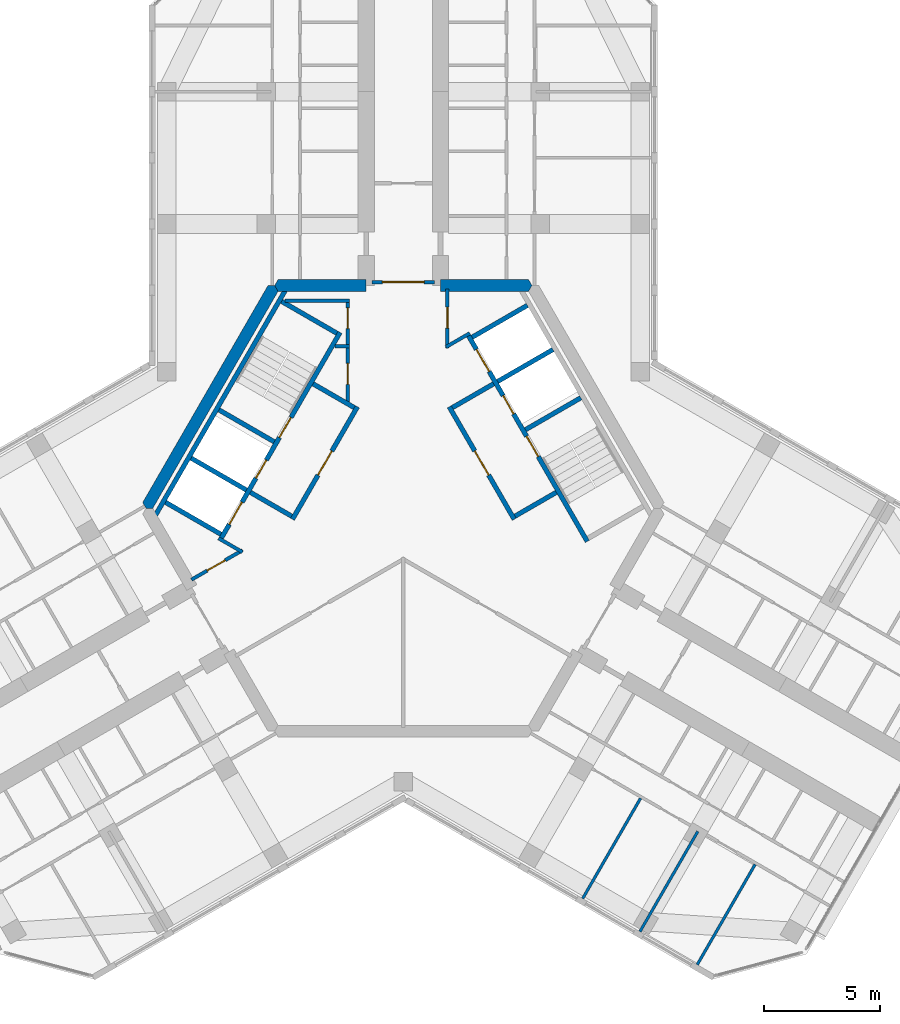
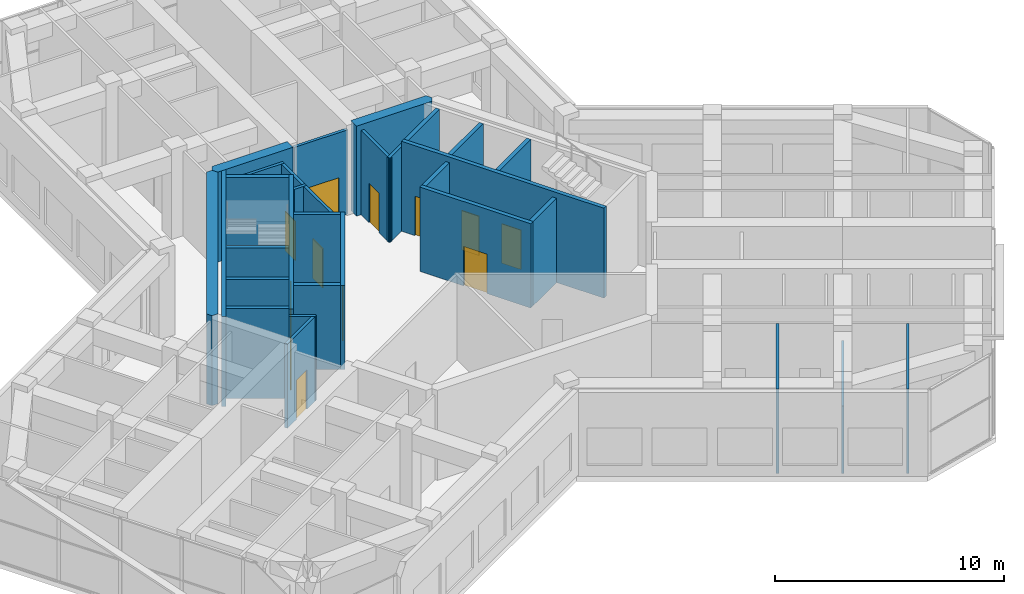
# One storey, part 9 of 14: 30 walls, 13 doors, 13 openings.
"""IFC4 building model written with IfcOpenShell, lengths in metres."""

from ifc_helpers import new_model, si_unit, direction, frame, frame_2d, origin, place, context, subcontext, project, spatial, polyline, rectangle, outline, extrude, material, layer, layer_set, type_object, element, fill, save


model = new_model("IFC4")

# Units and contexts
model_context = context("Model", 3, precision=1e-05, world=origin(), true_north=direction((0.0, 1.0)))
body_context = subcontext(model_context, "Body", "Model", "MODEL_VIEW")
ifc_project = project(units=[si_unit("LENGTHUNIT", "METRE"), si_unit("AREAUNIT", "SQUARE_METRE"), si_unit("VOLUMEUNIT", "CUBIC_METRE"), si_unit("PLANEANGLEUNIT", "RADIAN"), si_unit("MASSUNIT", "GRAM", prefix="KILO")], contexts=[model_context])

# Site, building, storey
site_placement = place(None, origin())
site = spatial("IfcSite", under=ifc_project, at=site_placement, CompositionType="ELEMENT")
building_placement = place(site_placement, origin())
building = spatial("IfcBuilding", under=site, at=building_placement, Name="Kosmar Iwan School Tower", CompositionType="ELEMENT")
storey_placement = place(building_placement, frame((0.0, 0.0, 296.199951171875)))
storey = spatial("IfcBuildingStorey", under=building, at=storey_placement, Name="L75", CompositionType="ELEMENT", Elevation=296.199951171875)

# Wall, openings, doors
ifc_material_1 = material(Name="Gypsum board on steel studs, fire-rated", Category="steel")
ifc_layer_1 = layer(ifc_material_1, 0.14990234375)
ifc_layer_set_1 = layer_set([ifc_layer_1], Name="Core room partition 150")
wall_type_1 = type_object("IfcWallType", Name="Core room partition 150", PredefinedType="PARTITIONING", material=ifc_layer_set_1)
wall_1_placement = place(storey_placement, frame((-2.39990234375, 9.014892578125, 0.0), z_axis=(0.0, 0.0, 1.0), x_axis=(0.0, -1.0, 0.0)))
wall_1 = element("IfcWall", 1, at=wall_1_placement, inside=storey, type_object=wall_type_1, Name="Core room partition L75-CW1", PredefinedType="PARTITIONING", context=body_context, shape_type="SweptSolid", body=[
    extrude(rectangle(XDim=4.484130859375, YDim=0.14990234375, at=frame_2d((2.2421875, 0.0))), origin(), (0.0, 0.0, 1.0), 4.5),
])
opening_1_placement = place(wall_1_placement, frame((0.375, 0.0, 0.0)))
opening_1 = element("IfcOpeningElement", 2, at=opening_1_placement, cuts=wall_1, Name="Opening D14", PredefinedType="OPENING", context=body_context, shape_type="SweptSolid", body=[
    extrude(rectangle(XDim=0.89990234375, YDim=2.10009765625, at=frame_2d((0.449951171875, 1.050048828125))), frame((0.0, 0.0869140625, 0.0), z_axis=(0.0, -1.0, 0.0), x_axis=(1.0, 0.0, 0.0)), (0.0, 0.0, 1.0), 0.173828125),
])
opening_2_placement = place(wall_1_placement, frame((2.77490234375, 0.0, 0.0)))
opening_2 = element("IfcOpeningElement", 3, at=opening_2_placement, cuts=wall_1, Name="Opening D14", PredefinedType="OPENING", context=body_context, shape_type="SweptSolid", body=[
    extrude(rectangle(XDim=0.89990234375, YDim=2.10009765625, at=frame_2d((0.449951171875, 1.050048828125))), frame((0.0, 0.0869140625, 0.0), z_axis=(0.0, -1.0, 0.0), x_axis=(1.0, 0.0, 0.0)), (0.0, 0.0, 1.0), 0.173828125),
])
ifc_material_2 = material(Name="Timber fire door in steel frame", Category="steel")
door_type_1 = type_object("IfcDoorType", Name="Core room door 900x2100", OperationType="SINGLE_SWING_LEFT", PredefinedType="DOOR", material=ifc_material_2)
door_1_placement = place(opening_1_placement, origin())
door_1 = element("IfcDoor", 4, at=door_1_placement, inside=storey, type_object=door_type_1, Name="Electrical riser and switch room door L75 1", OperationType="SINGLE_SWING_LEFT", OverallHeight=2.10009765625, OverallWidth=0.89990234375, PredefinedType="DOOR", context=body_context, shape_type="SweptSolid", body=[
    extrude(rectangle(XDim=0.89990234375, YDim=2.10009765625, at=frame_2d((0.449951171875, 1.050048828125))), frame((0.0, 0.02490234375, 0.0), z_axis=(0.0, -1.0, 0.0), x_axis=(1.0, 0.0, 0.0)), (0.0, 0.0, 1.0), 0.050048828125),
])
fill(opening_1, door_1)
door_2_placement = place(opening_2_placement, origin())
door_2 = element("IfcDoor", 5, at=door_2_placement, inside=storey, type_object=door_type_1, Name="Plumbing and wet riser door L75 2", OperationType="SINGLE_SWING_RIGHT", OverallHeight=2.10009765625, OverallWidth=0.89990234375, PredefinedType="DOOR", context=body_context, shape_type="SweptSolid", body=[
    extrude(rectangle(XDim=0.89990234375, YDim=2.10009765625, at=frame_2d((0.449951171875, 1.050048828125))), frame((0.0, 0.02490234375, 0.0), z_axis=(0.0, -1.0, 0.0), x_axis=(1.0, 0.0, 0.0)), (0.0, 0.0, 1.0), 0.050048828125),
])
fill(opening_2, door_2)

# Walls
wall_2_placement = place(storey_placement, frame((-2.324951171875, 6.985107421875, 0.0), z_axis=(0.0, 0.0, 1.0), x_axis=(-1.0, 0.0, 0.0)))
element("IfcWall", 6, at=wall_2_placement, inside=storey, type_object=wall_type_1, Name="Core room partition L75-CW2", PredefinedType="PARTITIONING", context=body_context, shape_type="SweptSolid", body=[
    extrude(rectangle(XDim=0.623779296875, YDim=0.14990234375, at=frame_2d((0.31201171875, 0.0))), origin(), (0.0, 0.0, 1.0), 4.5),
])
wall_3_placement = place(storey_placement, frame((-5.089599609375, 8.93994140625, 0.0), z_axis=(0.0, 0.0, 1.0), x_axis=(1.0, 0.0, 0.0)))
element("IfcWall", 7, at=wall_3_placement, inside=storey, type_object=wall_type_1, Name="Core room partition L75-CW3", PredefinedType="PARTITIONING", context=body_context, shape_type="SweptSolid", body=[
    extrude(rectangle(XDim=2.7646484375, YDim=0.14990234375, at=frame_2d((1.38232421875, 0.0))), origin(), (0.0, 0.0, 1.0), 4.5),
])
wall_4_placement = place(storey_placement, frame((2.862548828125, 7.541748046875, 0.0), z_axis=(0.0, 0.0, 1.0), x_axis=(-0.866031398331, -0.499989616998, 0.0)))
element("IfcWall", 8, at=wall_4_placement, inside=storey, type_object=wall_type_1, Name="Core room partition L75-CW8", PredefinedType="PARTITIONING", context=body_context, shape_type="SweptSolid", body=[
    extrude(rectangle(XDim=1.1865234375, YDim=0.14990234375, at=frame_2d((0.59326171875, 0.0))), origin(), (0.0, 0.0, 1.0), 4.5),
])

# Wall, opening, door
wall_5_placement = place(storey_placement, frame((1.89990234375, 6.910888671875, 0.0), z_axis=(0.0, 0.0, 1.0), x_axis=(0.0, 1.0, 0.0)))
wall_5 = element("IfcWall", 9, at=wall_5_placement, inside=storey, type_object=wall_type_1, Name="Core room partition L75-CW9", PredefinedType="PARTITIONING", context=body_context, shape_type="SweptSolid", body=[
    extrude(rectangle(XDim=2.5341796875, YDim=0.14990234375, at=frame_2d((1.26708984375, 0.0))), origin(), (0.0, 0.0, 1.0), 4.5),
])
opening_3_placement = place(wall_5_placement, frame((0.85205078125, 0.0, 0.0)))
opening_3 = element("IfcOpeningElement", 10, at=opening_3_placement, cuts=wall_5, Name="Opening D14", PredefinedType="OPENING", context=body_context, shape_type="SweptSolid", body=[
    extrude(rectangle(XDim=0.89990234375, YDim=2.10009765625, at=frame_2d((0.449951171875, 1.050048828125))), frame((0.0, 0.0869140625, 0.0), z_axis=(0.0, -1.0, 0.0), x_axis=(1.0, 0.0, 0.0)), (0.0, 0.0, 1.0), 0.173828125),
])
door_3_placement = place(opening_3_placement, origin())
door_3 = element("IfcDoor", 11, at=door_3_placement, inside=storey, type_object=door_type_1, Name="Cleaner's store door L75 5", OperationType="SINGLE_SWING_RIGHT", OverallHeight=2.10009765625, OverallWidth=0.89990234375, PredefinedType="DOOR", context=body_context, shape_type="SweptSolid", body=[
    extrude(rectangle(XDim=0.89990234375, YDim=2.10009765625, at=frame_2d((0.449951171875, 1.050048828125))), frame((0.0, 0.02490234375, 0.0), z_axis=(0.0, -1.0, 0.0), x_axis=(1.0, 0.0, 0.0)), (0.0, 0.0, 1.0), 0.050048828125),
])
fill(opening_3, door_3)

# Wall
wall_6_placement = place(storey_placement, frame((-7.962646484375, -1.291748046875, 0.0), z_axis=(0.0, 0.0, 1.0), x_axis=(0.866031398331, -0.499989616998, 0.0)))
element("IfcWall", 12, at=wall_6_placement, inside=storey, type_object=wall_type_1, Name="Core room partition L75-CW10", PredefinedType="PARTITIONING", context=body_context, shape_type="SweptSolid", body=[
    extrude(rectangle(XDim=1.1865234375, YDim=0.14990234375, at=frame_2d((0.59326171875, 0.0))), origin(), (0.0, 0.0, 1.0), 4.5),
])

# Wall, opening, door
wall_7_placement = place(storey_placement, frame((-6.93505859375, -1.81005859375, 0.0), z_axis=(0.0, 0.0, 1.0), x_axis=(-0.8660171257, -0.500014337789, 0.0)))
wall_7 = element("IfcWall", 13, at=wall_7_placement, inside=storey, type_object=wall_type_1, Name="Core room partition L75-CW11", PredefinedType="PARTITIONING", context=body_context, shape_type="SweptSolid", body=[
    extrude(rectangle(XDim=2.5341796875, YDim=0.14990234375, at=frame_2d((1.26708984375, 0.0))), origin(), (0.0, 0.0, 1.0), 4.5),
])
opening_4_placement = place(wall_7_placement, frame((0.85205078125, 0.0, 0.0)))
opening_4 = element("IfcOpeningElement", 14, at=opening_4_placement, cuts=wall_7, Name="Opening D14", PredefinedType="OPENING", context=body_context, shape_type="SweptSolid", body=[
    extrude(rectangle(XDim=0.89990234375, YDim=2.10009765625, at=frame_2d((0.449951171875, 1.050048828125))), frame((0.0, 0.0869140625, 0.0), z_axis=(0.0, -1.0, 0.0), x_axis=(1.0, 0.0, 0.0)), (0.0, 0.0, 1.0), 0.173828125),
])
door_4_placement = place(opening_4_placement, origin())
door_4 = element("IfcDoor", 15, at=door_4_placement, inside=storey, type_object=door_type_1, Name="Linen store door L75 6", OperationType="SINGLE_SWING_RIGHT", OverallHeight=2.10009765625, OverallWidth=0.89990234375, PredefinedType="DOOR", context=body_context, shape_type="SweptSolid", body=[
    extrude(rectangle(XDim=0.89990234375, YDim=2.10009765625, at=frame_2d((0.449951171875, 1.050048828125))), frame((0.0, 0.02490234375, 0.0), z_axis=(0.0, -1.0, 0.0), x_axis=(1.0, 0.0, 0.0)), (0.0, 0.0, 1.0), 0.050048828125),
])
fill(opening_4, door_4)

# Walls
ifc_material_3 = material(Name="Concrete C50/60", Category="concrete")
ifc_layer_2 = layer(ifc_material_3, 0.5)
ifc_layer_set_2 = layer_set([ifc_layer_2], Name="Core wall 500")
wall_type_2 = type_object("IfcWallType", Name="Core wall 500", PredefinedType="SHEAR", material=ifc_layer_set_2)
wall_8_placement = place(storey_placement, origin())
element("IfcWall", 16, at=wall_8_placement, inside=storey, type_object=wall_type_2, Name="Core wall F090a", PredefinedType="SHEAR", context=body_context, shape_type="SweptSolid", body=[
    extrude(outline(polyline([(1.60009765625, 9.35009765625), (5.398193359375, 9.35009765625), (5.54248046875, 9.60009765625), (5.398193359375, 9.85009765625), (1.60009765625, 9.85009765625), (1.60009765625, 9.35009765625)])), origin(), (0.0, 0.0, 1.0), 4.800048828125),
])
wall_9_placement = place(storey_placement, origin())
element("IfcWall", 17, at=wall_9_placement, inside=storey, type_object=wall_type_2, Name="Core wall F090b", PredefinedType="SHEAR", context=body_context, shape_type="SweptSolid", body=[
    extrude(outline(polyline([(-5.398193359375, 9.35009765625), (-1.60009765625, 9.35009765625), (-1.60009765625, 9.85009765625), (-5.398193359375, 9.85009765625), (-5.54248046875, 9.60009765625), (-5.398193359375, 9.35009765625)])), origin(), (0.0, 0.0, 1.0), 4.800048828125),
])
wall_10_placement = place(storey_placement, origin())
element("IfcWall", 18, at=wall_10_placement, inside=storey, type_object=wall_type_2, Name="Core wall F150", PredefinedType="SHEAR", context=body_context, shape_type="SweptSolid", body=[
    extrude(outline(polyline([(-11.085205078125, 0.0), (-10.79638671875, 0.0), (-5.398193359375, 9.35009765625), (-5.54248046875, 9.60009765625), (-5.831298828125, 9.60009765625), (-11.2294921875, 0.25), (-11.085205078125, 0.0)])), origin(), (0.0, 0.0, 1.0), 4.800048828125),
])

# Wall, opening, door
ifc_material_4 = material(Name="Steel framed glazed screen", Category="steel")
ifc_layer_3 = layer(ifc_material_4, 0.14990234375)
ifc_layer_set_3 = layer_set([ifc_layer_3], Name="Corridor screen wall 150")
wall_type_3 = type_object("IfcWallType", Name="Corridor screen wall 150", PredefinedType="PARTITIONING", material=ifc_layer_set_3)
wall_11_placement = place(storey_placement, frame((1.35009765625, 9.75, 0.0), z_axis=(0.0, 0.0, 1.0), x_axis=(-1.0, 0.0, 0.0)))
wall_11 = element("IfcWall", 19, at=wall_11_placement, inside=storey, type_object=wall_type_3, Name="Corridor screen A L75", PredefinedType="PARTITIONING", context=body_context, shape_type="SweptSolid", body=[
    extrude(rectangle(XDim=2.7001953125, YDim=0.14990234375, at=frame_2d((1.35009765625, 0.0))), origin(), (0.0, 0.0, 1.0), 4.5),
])
opening_5_placement = place(wall_11_placement, frame((0.449951171875, 0.0, 0.0)))
opening_5 = element("IfcOpeningElement", 20, at=opening_5_placement, cuts=wall_11, Name="Opening D9", PredefinedType="OPENING", context=body_context, shape_type="SweptSolid", body=[
    extrude(rectangle(XDim=1.800048828125, YDim=2.10009765625, at=frame_2d((0.89990234375, 1.050048828125))), frame((0.0, 0.0869140625, 0.0), z_axis=(0.0, -1.0, 0.0), x_axis=(1.0, 0.0, 0.0)), (0.0, 0.0, 1.0), 0.173828125),
])
ifc_material_5 = material(Name="Steel framed glazed smoke door", Category="steel")
door_type_2 = type_object("IfcDoorType", Name="Corridor smoke door pair 1800x2100", OperationType="DOUBLE_DOOR_DOUBLE_SWING", PredefinedType="DOOR", material=ifc_material_5)
door_5_placement = place(opening_5_placement, origin())
door_5 = element("IfcDoor", 21, at=door_5_placement, inside=storey, type_object=door_type_2, Name="Corridor doors A L75", OperationType="DOUBLE_DOOR_DOUBLE_SWING", OverallHeight=2.10009765625, OverallWidth=1.800048828125, PredefinedType="DOOR", context=body_context, shape_type="SweptSolid", body=[
    extrude(rectangle(XDim=1.800048828125, YDim=2.10009765625, at=frame_2d((0.89990234375, 1.050048828125))), frame((0.0, 0.02490234375, 0.0), z_axis=(0.0, -1.0, 0.0), x_axis=(1.0, 0.0, 0.0)), (0.0, 0.0, 1.0), 0.050048828125),
])
fill(opening_5, door_5)

# Walls
ifc_material_6 = material(Name="Gypsum board on steel studs", Category="steel")
ifc_layer_4 = layer(ifc_material_6, 0.1201171875)
ifc_layer_set_4 = layer_set([ifc_layer_4], Name="Dwelling partition 120")
wall_type_4 = type_object("IfcWallType", Name="Dwelling partition 120", PredefinedType="PARTITIONING", material=ifc_layer_set_4)
wall_12_placement = place(storey_placement, frame((10.221923828125, -12.4951171875, 0.0), z_axis=(0.0, 0.0, 1.0), x_axis=(-0.499996339024, -0.86602751744, 0.0)))
element("IfcWall", 22, at=wall_12_placement, inside=storey, type_object=wall_type_4, Name="Partition L75-CR1-X1", PredefinedType="PARTITIONING", context=body_context, shape_type="SweptSolid", body=[
    extrude(rectangle(XDim=4.98974609375, YDim=0.1201171875, at=frame_2d((2.494873046875, 0.0))), origin(), (0.0, 0.0, 1.0), 4.5),
])
wall_13_placement = place(storey_placement, frame((12.690185546875, -13.919921875, 0.0), z_axis=(0.0, 0.0, 1.0), x_axis=(-0.500011847778, -0.866018563358, 0.0)))
element("IfcWall", 23, at=wall_13_placement, inside=storey, type_object=wall_type_4, Name="Partition L75-CR1-X2", PredefinedType="PARTITIONING", context=body_context, shape_type="SweptSolid", body=[
    extrude(rectangle(XDim=4.990234375, YDim=0.1201171875, at=frame_2d((2.4951171875, 0.0))), origin(), (0.0, 0.0, 1.0), 3.60009765625),
])
wall_14_placement = place(storey_placement, frame((15.158447265625, -15.344970703125, 0.0), z_axis=(0.0, 0.0, 1.0), x_axis=(-0.500011847778, -0.866018563358, 0.0)))
element("IfcWall", 24, at=wall_14_placement, inside=storey, type_object=wall_type_4, Name="Partition L75-CR1-X3", PredefinedType="PARTITIONING", context=body_context, shape_type="SweptSolid", body=[
    extrude(rectangle(XDim=4.990234375, YDim=0.1201171875, at=frame_2d((2.4951171875, 0.0))), origin(), (0.0, 0.0, 1.0), 4.5),
])

# Wall, opening, door
ifc_material_7 = material(Name="Concrete block masonry", Category="masonry")
ifc_layer_5 = layer(ifc_material_7, 0.199951171875)
ifc_layer_set_5 = layer_set([ifc_layer_5], Name="Fire lobby wall 200")
wall_type_5 = type_object("IfcWallType", Name="Fire lobby wall 200", PredefinedType="PARTITIONING", material=ifc_layer_set_5)
wall_15_placement = place(storey_placement, frame((-1.9775390625, 4.374755859375, 0.0), z_axis=(0.0, 0.0, 1.0), x_axis=(-0.500016814911, -0.866015695474, 0.0)))
wall_15 = element("IfcWall", 25, at=wall_15_placement, inside=storey, type_object=wall_type_5, Name="Firefighting lobby wall ST2", PredefinedType="PARTITIONING", context=body_context, shape_type="SweptSolid", body=[
    extrude(rectangle(XDim=5.599853515625, YDim=0.199951171875, at=frame_2d((2.7998046875, 0.0))), origin(), (0.0, 0.0, 1.0), 4.5),
])
opening_6_placement = place(wall_15_placement, frame((2.199951171875, 0.0, 0.0)))
opening_6 = element("IfcOpeningElement", 26, at=opening_6_placement, cuts=wall_15, Name="Opening D7", PredefinedType="OPENING", context=body_context, shape_type="SweptSolid", body=[
    extrude(rectangle(XDim=1.199951171875, YDim=2.10009765625, at=frame_2d((0.60009765625, 1.050048828125))), frame((0.0, 0.112060546875, 0.0), z_axis=(0.0, -1.0, 0.0), x_axis=(1.0, 0.0, 0.0)), (0.0, 0.0, 1.0), 0.223876953125),
])
ifc_material_8 = material(Name="Steel fire door", Category="steel")
door_type_3 = type_object("IfcDoorType", Name="Fire lobby door 1200x2100", OperationType="SINGLE_SWING_LEFT", PredefinedType="DOOR", material=ifc_material_8)
door_6_placement = place(opening_6_placement, origin())
door_6 = element("IfcDoor", 27, at=door_6_placement, inside=storey, type_object=door_type_3, Name="Firefighting lobby door ST2 L75", OperationType="SINGLE_SWING_LEFT", OverallHeight=2.10009765625, OverallWidth=1.199951171875, PredefinedType="DOOR", context=body_context, shape_type="SweptSolid", body=[
    extrude(rectangle(XDim=1.199951171875, YDim=2.10009765625, at=frame_2d((0.60009765625, 1.050048828125))), frame((0.0, 0.02490234375, 0.0), z_axis=(0.0, -1.0, 0.0), x_axis=(1.0, 0.0, 0.0)), (0.0, 0.0, 1.0), 0.050048828125),
])
fill(opening_6, door_6)

# Walls
wall_16_placement = place(storey_placement, frame((-2.114013671875, 4.33837890625, 0.0), z_axis=(0.0, 0.0, 1.0), x_axis=(-0.866050731258, 0.499956128963, 0.0)))
element("IfcWall", 28, at=wall_16_placement, inside=storey, type_object=wall_type_5, Name="Firefighting lobby wall ST2", PredefinedType="PARTITIONING", context=body_context, shape_type="SweptSolid", body=[
    extrude(rectangle(XDim=2.050048828125, YDim=0.199951171875, at=frame_2d((1.02490234375, 0.0))), origin(), (0.0, 0.0, 1.0), 4.5),
])
wall_17_placement = place(storey_placement, frame((-4.814208984375, -0.33837890625, 0.0), z_axis=(0.0, 0.0, 1.0), x_axis=(-0.865969381856, 0.500097020274, 0.0)))
element("IfcWall", 29, at=wall_17_placement, inside=storey, type_object=wall_type_5, Name="Firefighting lobby wall ST2", PredefinedType="PARTITIONING", context=body_context, shape_type="SweptSolid", body=[
    extrude(rectangle(XDim=2.0498046875, YDim=0.199951171875, at=frame_2d((1.02490234375, 0.0))), origin(), (0.0, 0.0, 1.0), 4.5),
])

# Wall, opening, door
wall_18_placement = place(storey_placement, frame((4.777587890625, -0.474853515625, 0.0), z_axis=(0.0, 0.0, 1.0), x_axis=(-0.500016814911, 0.866015695474, 0.0)))
wall_18 = element("IfcWall", 30, at=wall_18_placement, inside=storey, type_object=wall_type_5, Name="Firefighting lobby wall ST1", PredefinedType="PARTITIONING", context=body_context, shape_type="SweptSolid", body=[
    extrude(rectangle(XDim=5.599853515625, YDim=0.199951171875, at=frame_2d((2.7998046875, 0.0))), origin(), (0.0, 0.0, 1.0), 4.5),
])
opening_7_placement = place(wall_18_placement, frame((2.199951171875, 0.0, 0.0)))
opening_7 = element("IfcOpeningElement", 31, at=opening_7_placement, cuts=wall_18, Name="Opening D7", PredefinedType="OPENING", context=body_context, shape_type="SweptSolid", body=[
    extrude(rectangle(XDim=1.199951171875, YDim=2.10009765625, at=frame_2d((0.60009765625, 1.050048828125))), frame((0.0, 0.112060546875, 0.0), z_axis=(0.0, -1.0, 0.0), x_axis=(1.0, 0.0, 0.0)), (0.0, 0.0, 1.0), 0.223876953125),
])
door_7_placement = place(opening_7_placement, origin())
door_7 = element("IfcDoor", 32, at=door_7_placement, inside=storey, type_object=door_type_3, Name="Firefighting lobby door ST1 L75", OperationType="SINGLE_SWING_LEFT", OverallHeight=2.10009765625, OverallWidth=1.199951171875, PredefinedType="DOOR", context=body_context, shape_type="SweptSolid", body=[
    extrude(rectangle(XDim=1.199951171875, YDim=2.10009765625, at=frame_2d((0.60009765625, 1.050048828125))), frame((0.0, 0.02490234375, 0.0), z_axis=(0.0, -1.0, 0.0), x_axis=(1.0, 0.0, 0.0)), (0.0, 0.0, 1.0), 0.050048828125),
])
fill(opening_7, door_7)

# Walls
wall_19_placement = place(storey_placement, frame((4.814208984375, -0.33837890625, 0.0), z_axis=(0.0, 0.0, 1.0), x_axis=(0.865969381856, 0.500097020274, 0.0)))
element("IfcWall", 33, at=wall_19_placement, inside=storey, type_object=wall_type_5, Name="Firefighting lobby wall ST1", PredefinedType="PARTITIONING", context=body_context, shape_type="SweptSolid", body=[
    extrude(rectangle(XDim=2.0498046875, YDim=0.199951171875, at=frame_2d((1.02490234375, 0.0))), origin(), (0.0, 0.0, 1.0), 4.5),
])
wall_20_placement = place(storey_placement, frame((2.114013671875, 4.33837890625, 0.0), z_axis=(0.0, 0.0, 1.0), x_axis=(0.866050731258, 0.499956128963, 0.0)))
element("IfcWall", 34, at=wall_20_placement, inside=storey, type_object=wall_type_5, Name="Firefighting lobby wall ST1", PredefinedType="PARTITIONING", context=body_context, shape_type="SweptSolid", body=[
    extrude(rectangle(XDim=2.050048828125, YDim=0.199951171875, at=frame_2d((1.02490234375, 0.0))), origin(), (0.0, 0.0, 1.0), 4.5),
])

# Wall, openings, doors
ifc_material_9 = material(Name="Concrete C50/60", Category="concrete")
ifc_layer_6 = layer(ifc_material_9, 0.199951171875)
ifc_layer_set_6 = layer_set([ifc_layer_6], Name="Lift shaft wall 200")
wall_type_6 = type_object("IfcWallType", Name="Lift shaft wall 200", PredefinedType="SHEAR", material=ifc_layer_set_6)
wall_21_placement = place(storey_placement, frame((-2.72607421875, 7.578369140625, 0.0), z_axis=(0.0, 0.0, 1.0), x_axis=(-0.499998717582, -0.866026144187, 0.0)))
wall_21 = element("IfcWall", 35, at=wall_21_placement, inside=storey, type_object=wall_type_6, Name="Lift and stair front wall AB", PredefinedType="SHEAR", context=body_context, shape_type="SweptSolid", body=[
    extrude(rectangle(XDim=10.22509765625, YDim=0.199951171875, at=frame_2d((5.112548828125, 0.0))), origin(), (0.0, 0.0, 1.0), 4.800048828125),
])
opening_8_placement = place(wall_21_placement, frame((6.35009765625, 0.0, 0.0)))
opening_8 = element("IfcOpeningElement", 36, at=opening_8_placement, cuts=wall_21, Name="Opening LD2", PredefinedType="OPENING", context=body_context, shape_type="SweptSolid", body=[
    extrude(rectangle(XDim=0.89990234375, YDim=2.10009765625, at=frame_2d((0.449951171875, 1.050048828125))), frame((0.0, 0.112060546875, 0.0), z_axis=(0.0, -1.0, 0.0), x_axis=(1.0, 0.0, 0.0)), (0.0, 0.0, 1.0), 0.223876953125),
])
opening_9_placement = place(wall_21_placement, frame((8.449951171875, 0.0, 0.0)))
opening_9 = element("IfcOpeningElement", 37, at=opening_9_placement, cuts=wall_21, Name="Opening LD1", PredefinedType="OPENING", context=body_context, shape_type="SweptSolid", body=[
    extrude(rectangle(XDim=1.10009765625, YDim=2.10009765625, at=frame_2d((0.550048828125, 1.050048828125))), frame((0.0, 0.112060546875, 0.0), z_axis=(0.0, -1.0, 0.0), x_axis=(1.0, 0.0, 0.0)), (0.0, 0.0, 1.0), 0.223876953125),
])
opening_10_placement = place(wall_21_placement, frame((4.22998046875, 0.0, 0.0)))
opening_10 = element("IfcOpeningElement", 38, at=opening_10_placement, cuts=wall_21, Name="Opening D6", PredefinedType="OPENING", context=body_context, shape_type="SweptSolid", body=[
    extrude(rectangle(XDim=1.0, YDim=2.10009765625, at=frame_2d((0.5, 1.050048828125))), frame((0.0, 0.112060546875, 0.0), z_axis=(0.0, -1.0, 0.0), x_axis=(1.0, 0.0, 0.0)), (0.0, 0.0, 1.0), 0.223876953125),
])
ifc_material_10 = material(Name="Stainless steel sliding lift door", Category="steel")
door_type_4 = type_object("IfcDoorType", Name="Firefighting lift landing door 900x2100", OperationType="SLIDING_TO_LEFT", PredefinedType="DOOR", material=ifc_material_10)
door_8_placement = place(opening_8_placement, origin())
door_8 = element("IfcDoor", 39, at=door_8_placement, inside=storey, type_object=door_type_4, Name="Lift FF2 landing door L75", OperationType="SLIDING_TO_LEFT", OverallHeight=2.10009765625, OverallWidth=0.89990234375, PredefinedType="DOOR", context=body_context, shape_type="SweptSolid", body=[
    extrude(rectangle(XDim=0.89990234375, YDim=2.10009765625, at=frame_2d((0.449951171875, 1.050048828125))), frame((0.0, 0.02490234375, 0.0), z_axis=(0.0, -1.0, 0.0), x_axis=(1.0, 0.0, 0.0)), (0.0, 0.0, 1.0), 0.050048828125),
])
fill(opening_8, door_8)
ifc_material_11 = material(Name="Stainless steel sliding lift door", Category="steel")
door_type_5 = type_object("IfcDoorType", Name="Lift landing door 1100x2100", OperationType="SLIDING_TO_LEFT", PredefinedType="DOOR", material=ifc_material_11)
door_9_placement = place(opening_9_placement, origin())
door_9 = element("IfcDoor", 40, at=door_9_placement, inside=storey, type_object=door_type_5, Name="Lift PL6 landing door L75", OperationType="SLIDING_TO_LEFT", OverallHeight=2.10009765625, OverallWidth=1.10009765625, PredefinedType="DOOR", context=body_context, shape_type="SweptSolid", body=[
    extrude(rectangle(XDim=1.10009765625, YDim=2.10009765625, at=frame_2d((0.550048828125, 1.050048828125))), frame((0.0, 0.02490234375, 0.0), z_axis=(0.0, -1.0, 0.0), x_axis=(1.0, 0.0, 0.0)), (0.0, 0.0, 1.0), 0.050048828125),
])
fill(opening_9, door_9)
ifc_material_12 = material(Name="Steel fire door", Category="steel")
door_type_6 = type_object("IfcDoorType", Name="Stair door 1000x2100", OperationType="SINGLE_SWING_LEFT", PredefinedType="DOOR", material=ifc_material_12)
door_10_placement = place(opening_10_placement, origin())
door_10 = element("IfcDoor", 41, at=door_10_placement, inside=storey, type_object=door_type_6, Name="Stair ST2 door L75", OperationType="SINGLE_SWING_LEFT", OverallHeight=2.10009765625, OverallWidth=1.0, PredefinedType="DOOR", context=body_context, shape_type="SweptSolid", body=[
    extrude(rectangle(XDim=1.0, YDim=2.10009765625, at=frame_2d((0.5, 1.050048828125))), frame((0.0, 0.02490234375, 0.0), z_axis=(0.0, -1.0, 0.0), x_axis=(1.0, 0.0, 0.0)), (0.0, 0.0, 1.0), 0.050048828125),
])
fill(opening_10, door_10)

# Walls
wall_22_placement = place(storey_placement, frame((-5.08056640625, 9.39990234375, 0.0), z_axis=(0.0, 0.0, 1.0), x_axis=(-0.500004846395, -0.866022605699, 0.0)))
element("IfcWall", 42, at=wall_22_placement, inside=storey, type_object=wall_type_6, Name="Lift and stair back wall AB", PredefinedType="SHEAR", context=body_context, shape_type="SweptSolid", body=[
    extrude(rectangle(XDim=11.20068359375, YDim=0.199951171875, at=frame_2d((5.600341796875, 0.0))), origin(), (0.0, 0.0, 1.0), 4.800048828125),
])
for number, where, z_axis, x_axis, name in (
    (43, (-6.7626953125, 0.78662109375, 0.0), (0.0, 0.0, 1.0), (-0.866027397988, 0.499996545922, 0.0), "Lift shaft wall AB 1"),
    (44, (-7.862548828125, -1.118408203125, 0.0), (0.0, 0.0, 1.0), (-0.866027397988, 0.499996545922, 0.0), "Lift shaft wall AB 2"),
):
    element("IfcWall", number, at=place(storey_placement, frame(where, z_axis=z_axis, x_axis=x_axis)), inside=storey, type_object=wall_type_6, Name=name, PredefinedType="SHEAR", context=body_context, shape_type="SweptSolid", body=[
        extrude(rectangle(XDim=2.75, YDim=0.199951171875, at=frame_2d((1.375, 0.0))), origin(), (0.0, 0.0, 1.0), 4.800048828125),
    ])

# Wall, openings, doors
wall_23_placement = place(storey_placement, frame((7.926025390625, -1.42822265625, 0.0), z_axis=(0.0, 0.0, 1.0), x_axis=(-0.50000905659, 0.866020174897, 0.0)))
wall_23 = element("IfcWall", 45, at=wall_23_placement, inside=storey, type_object=wall_type_6, Name="Lift and stair front wall AC", PredefinedType="SHEAR", context=body_context, shape_type="SweptSolid", body=[
    extrude(rectangle(XDim=10.224853515625, YDim=0.199951171875, at=frame_2d((5.1123046875, 0.0))), origin(), (0.0, 0.0, 1.0), 4.800048828125),
])
opening_11_placement = place(wall_23_placement, frame((6.35009765625, 0.0, 0.0)))
opening_11 = element("IfcOpeningElement", 46, at=opening_11_placement, cuts=wall_23, Name="Opening LD2", PredefinedType="OPENING", context=body_context, shape_type="SweptSolid", body=[
    extrude(rectangle(XDim=0.89990234375, YDim=2.10009765625, at=frame_2d((0.449951171875, 1.050048828125))), frame((0.0, 0.112060546875, 0.0), z_axis=(0.0, -1.0, 0.0), x_axis=(1.0, 0.0, 0.0)), (0.0, 0.0, 1.0), 0.223876953125),
])
opening_12_placement = place(wall_23_placement, frame((8.449951171875, 0.0, 0.0)))
opening_12 = element("IfcOpeningElement", 47, at=opening_12_placement, cuts=wall_23, Name="Opening LD1", PredefinedType="OPENING", context=body_context, shape_type="SweptSolid", body=[
    extrude(rectangle(XDim=1.10009765625, YDim=2.10009765625, at=frame_2d((0.550048828125, 1.050048828125))), frame((0.0, 0.112060546875, 0.0), z_axis=(0.0, -1.0, 0.0), x_axis=(1.0, 0.0, 0.0)), (0.0, 0.0, 1.0), 0.223876953125),
])
opening_13_placement = place(wall_23_placement, frame((4.22998046875, 0.0, 0.0)))
opening_13 = element("IfcOpeningElement", 48, at=opening_13_placement, cuts=wall_23, Name="Opening D6", PredefinedType="OPENING", context=body_context, shape_type="SweptSolid", body=[
    extrude(rectangle(XDim=1.0, YDim=2.10009765625, at=frame_2d((0.5, 1.050048828125))), frame((0.0, 0.112060546875, 0.0), z_axis=(0.0, -1.0, 0.0), x_axis=(1.0, 0.0, 0.0)), (0.0, 0.0, 1.0), 0.223876953125),
])
door_11_placement = place(opening_11_placement, origin())
door_11 = element("IfcDoor", 49, at=door_11_placement, inside=storey, type_object=door_type_4, Name="Lift FF1 landing door L75", OperationType="SLIDING_TO_LEFT", OverallHeight=2.10009765625, OverallWidth=0.89990234375, PredefinedType="DOOR", context=body_context, shape_type="SweptSolid", body=[
    extrude(rectangle(XDim=0.89990234375, YDim=2.10009765625, at=frame_2d((0.449951171875, 1.050048828125))), frame((0.0, 0.02490234375, 0.0), z_axis=(0.0, -1.0, 0.0), x_axis=(1.0, 0.0, 0.0)), (0.0, 0.0, 1.0), 0.050048828125),
])
fill(opening_11, door_11)
door_12_placement = place(opening_12_placement, origin())
door_12 = element("IfcDoor", 50, at=door_12_placement, inside=storey, type_object=door_type_5, Name="Lift PL5 landing door L75", OperationType="SLIDING_TO_LEFT", OverallHeight=2.10009765625, OverallWidth=1.10009765625, PredefinedType="DOOR", context=body_context, shape_type="SweptSolid", body=[
    extrude(rectangle(XDim=1.10009765625, YDim=2.10009765625, at=frame_2d((0.550048828125, 1.050048828125))), frame((0.0, 0.02490234375, 0.0), z_axis=(0.0, -1.0, 0.0), x_axis=(1.0, 0.0, 0.0)), (0.0, 0.0, 1.0), 0.050048828125),
])
fill(opening_12, door_12)
door_13_placement = place(opening_13_placement, origin())
door_13 = element("IfcDoor", 51, at=door_13_placement, inside=storey, type_object=door_type_6, Name="Stair ST1 door L75", OperationType="SINGLE_SWING_LEFT", OverallHeight=2.10009765625, OverallWidth=1.0, PredefinedType="DOOR", context=body_context, shape_type="SweptSolid", body=[
    extrude(rectangle(XDim=1.0, YDim=2.10009765625, at=frame_2d((0.5, 1.050048828125))), frame((0.0, 0.02490234375, 0.0), z_axis=(0.0, -1.0, 0.0), x_axis=(1.0, 0.0, 0.0)), (0.0, 0.0, 1.0), 0.050048828125),
])
fill(opening_13, door_13)

# Walls
for number, where, z_axis, x_axis, name in (
    (52, (4.062744140625, 5.46337890625, 0.0), (0.0, 0.0, 1.0), (0.866027397988, 0.499996545922, 0.0), "Lift shaft wall AC 1"),
    (53, (2.962646484375, 7.368408203125, 0.0), (0.0, 0.0, 1.0), (0.866027397988, 0.499996545922, 0.0), "Lift shaft wall AC 2"),
):
    element("IfcWall", number, at=place(storey_placement, frame(where, z_axis=z_axis, x_axis=x_axis)), inside=storey, type_object=wall_type_6, Name=name, PredefinedType="SHEAR", context=body_context, shape_type="SweptSolid", body=[
        extrude(rectangle(XDim=2.75, YDim=0.199951171875, at=frame_2d((1.375, 0.0))), origin(), (0.0, 0.0, 1.0), 4.800048828125),
    ])
ifc_material_13 = material(Name="Concrete C50/60", Category="concrete")
ifc_layer_7 = layer(ifc_material_13, 0.199951171875)
ifc_layer_set_7 = layer_set([ifc_layer_7], Name="Stair enclosure wall 200")
wall_type_7 = type_object("IfcWallType", Name="Stair enclosure wall 200", PredefinedType="SHEAR", material=ifc_layer_set_7)
for number, where, z_axis, x_axis, name in (
    (54, (-2.862548828125, 7.541748046875, 0.0), (0.0, 0.0, 1.0), (-0.866027397988, 0.499996545922, 0.0), "Stair ST2 wall"),
    (55, (-5.562744140625, 2.865234375, 0.0), (0.0, 0.0, 1.0), (-0.866027397988, 0.499996545922, 0.0), "Stair ST2 wall"),
    (56, (5.2626953125, 3.384765625, 0.0), (0.0, 0.0, 1.0), (0.866027397988, 0.499996545922, 0.0), "Stair ST1 wall"),
):
    element("IfcWall", number, at=place(storey_placement, frame(where, z_axis=z_axis, x_axis=x_axis)), inside=storey, type_object=wall_type_7, Name=name, PredefinedType="SHEAR", context=body_context, shape_type="SweptSolid", body=[
        extrude(rectangle(XDim=2.75, YDim=0.199951171875, at=frame_2d((1.375, 0.0))), origin(), (0.0, 0.0, 1.0), 4.800048828125),
    ])

save(model, "model.ifc")
